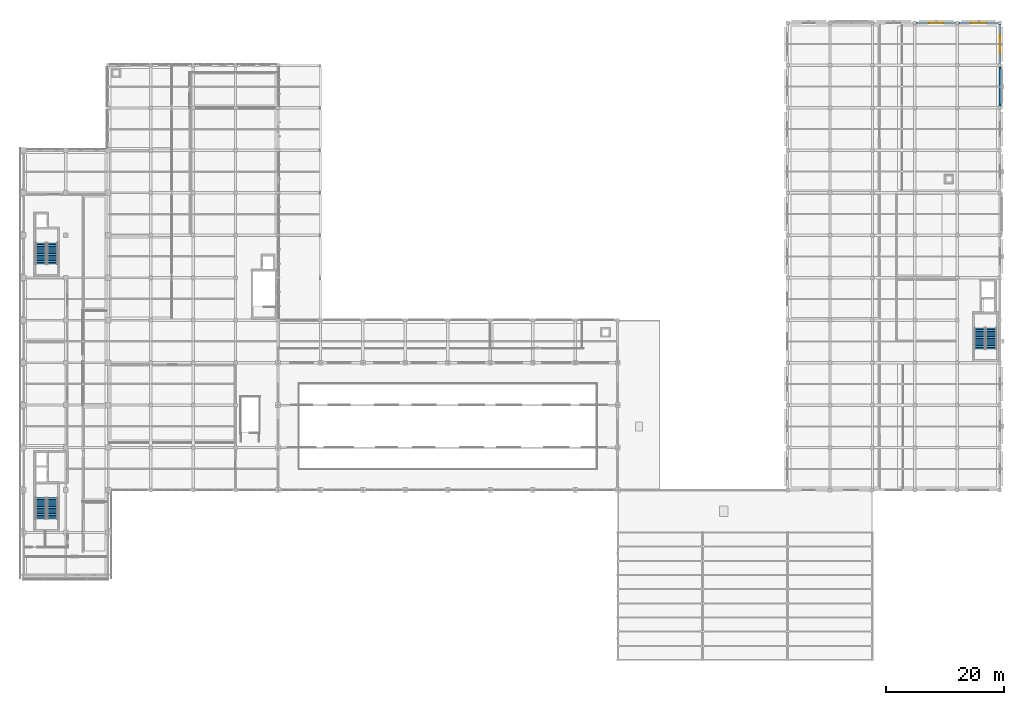
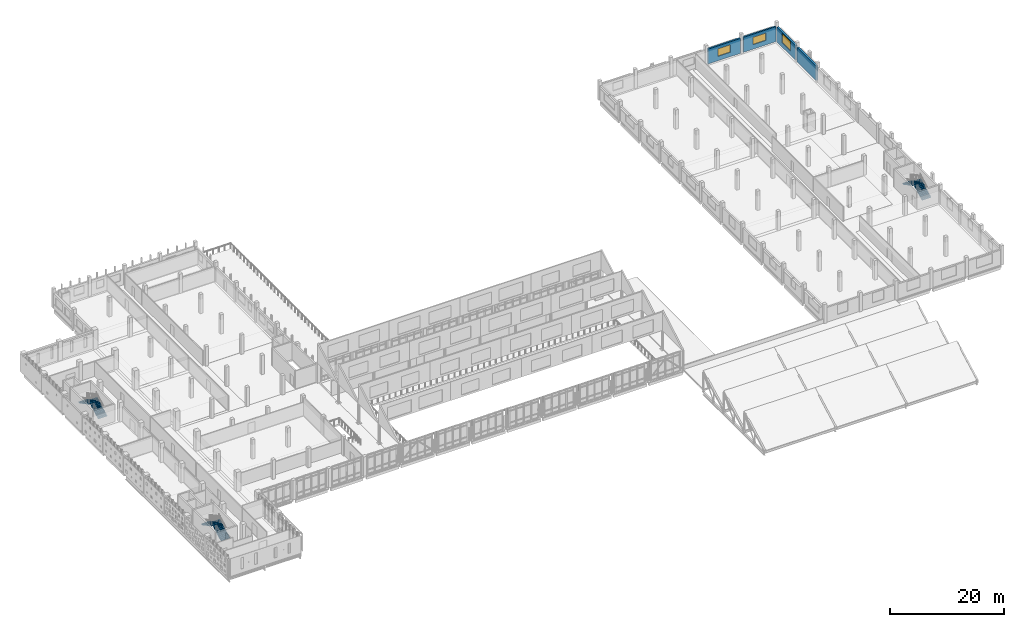
# One storey, part 49 of 62: 6 stair flights, 4 walls, 3 windows, 3 openings, 3 elements without a shape of their own.
"""IFC4 building model written with IfcOpenShell, lengths in metres."""

from ifc_helpers import new_model, si_unit, direction, frame, frame_2d, origin, place, context, subcontext, project, spatial, polyline, rectangle, outline, extrude, material, layer, layer_set, type_object, element, fill, aggregate, save


model = new_model("IFC4")

# Units and contexts
model_context = context("Model", 3, precision=1e-05, world=origin(), true_north=direction((0.0, 1.0)))
body_context = subcontext(model_context, "Body", "Model", "MODEL_VIEW")
ifc_project = project(units=[si_unit("LENGTHUNIT", "METRE"), si_unit("AREAUNIT", "SQUARE_METRE"), si_unit("VOLUMEUNIT", "CUBIC_METRE"), si_unit("PLANEANGLEUNIT", "RADIAN"), si_unit("MASSUNIT", "GRAM", prefix="KILO")], contexts=[model_context])

# Site, building, storey
site_placement = place(None, origin())
site = spatial("IfcSite", under=ifc_project, at=site_placement, CompositionType="ELEMENT")
building_placement = place(site_placement, origin())
building = spatial("IfcBuilding", under=site, at=building_placement, Name="Valkovuoma Quantum and Materials Research Institute", CompositionType="ELEMENT")
storey_placement = place(building_placement, frame((0.0, 0.0, 13.1201171875)))
storey = spatial("IfcBuildingStorey", under=building, at=storey_placement, Name="L03", CompositionType="ELEMENT", Elevation=13.1201171875)

# Wall, opening, window
ifc_material_1 = material(Name="Precast concrete C40/50", Category="concrete")
ifc_layer_1 = layer(ifc_material_1, 0.340087890625)
ifc_layer_set_1 = layer_set([ifc_layer_1], Name="Precast concrete C40/50")
wall_type_1 = type_object("IfcWallType", Name="Wall-W-EXT340", PredefinedType="SOLIDWALL", material=ifc_layer_set_1)
wall_1_placement = place(storey_placement, frame((151.489990234375, 115.199951171875, 0.0), z_axis=(0.0, 0.0, 1.0), x_axis=(1.0, 0.0, 0.0)))
wall_1 = element("IfcWall", 1, at=wall_1_placement, inside=storey, type_object=wall_type_1, Name="L03 exterior wall 0283", PredefinedType="SOLIDWALL", context=body_context, shape_type="SweptSolid", body=[
    extrude(rectangle(XDim=6.6201171875, YDim=0.340087890625, at=frame_2d((3.31005859375, 0.0))), origin(), (0.0, 0.0, 1.0), 3.2099609375),
])
opening_1_placement = place(wall_1_placement, frame((2.06005859375, 0.0, 0.949951171875)))
opening_1 = element("IfcOpeningElement", 2, at=opening_1_placement, cuts=wall_1, Name="Opening WN-EX15", PredefinedType="OPENING", context=body_context, shape_type="SweptSolid", body=[
    extrude(rectangle(XDim=2.5, YDim=1.60009765625, at=frame_2d((1.25, 0.800048828125))), frame((0.0, 0.18017578125, 0.0), z_axis=(0.0, -1.0, 0.0), x_axis=(1.0, 0.0, 0.0)), (0.0, 0.0, 1.0), 0.360107421875),
])
ifc_material_2 = material(Name="Triple low-E argon glazing in thermally broken aluminium frame", Category="aluminium")
window_type_1 = type_object("IfcWindowType", Name="Win-WN-EX15", PartitioningType="SINGLE_PANEL", PredefinedType="WINDOW", material=ifc_material_2)
window_1_placement = place(opening_1_placement, origin())
window_1 = element("IfcWindow", 3, at=window_1_placement, inside=storey, type_object=window_type_1, Name="L03 window 0294", OverallHeight=1.60009765625, OverallWidth=2.5, PartitioningType="SINGLE_PANEL", PredefinedType="WINDOW", context=body_context, shape_type="SweptSolid", body=[
    extrude(rectangle(XDim=2.5, YDim=1.60009765625, at=frame_2d((1.25, 0.800048828125))), frame((0.0, 0.030029296875, 0.0), z_axis=(0.0, -1.0, 0.0), x_axis=(1.0, 0.0, 0.0)), (0.0, 0.0, 1.0), 0.06005859375),
])
fill(opening_1, window_1)

wall_2_placement = place(storey_placement, frame((158.68994140625, 115.199951171875, 0.0), z_axis=(0.0, 0.0, 1.0), x_axis=(1.0, 0.0, 0.0)))
wall_2 = element("IfcWall", 4, at=wall_2_placement, inside=storey, type_object=wall_type_1, Name="L03 exterior wall 0284", PredefinedType="SOLIDWALL", context=body_context, shape_type="SweptSolid", body=[
    extrude(rectangle(XDim=6.6201171875, YDim=0.340087890625, at=frame_2d((3.31005859375, 0.0))), origin(), (0.0, 0.0, 1.0), 3.2099609375),
])
opening_2_placement = place(wall_2_placement, frame((1.985107421875, 0.0, 0.949951171875)))
opening_2 = element("IfcOpeningElement", 5, at=opening_2_placement, cuts=wall_2, Name="Opening WN-EX16", PredefinedType="OPENING", context=body_context, shape_type="SweptSolid", body=[
    extrude(rectangle(XDim=2.64990234375, YDim=1.60009765625, at=frame_2d((1.324951171875, 0.800048828125))), frame((0.0, 0.18017578125, 0.0), z_axis=(0.0, -1.0, 0.0), x_axis=(1.0, 0.0, 0.0)), (0.0, 0.0, 1.0), 0.360107421875),
])
ifc_material_3 = material(Name="Triple low-E argon glazing in thermally broken aluminium frame", Category="aluminium")
window_type_2 = type_object("IfcWindowType", Name="Win-WN-EX16", PartitioningType="SINGLE_PANEL", PredefinedType="WINDOW", material=ifc_material_3)
window_2_placement = place(opening_2_placement, origin())
window_2 = element("IfcWindow", 6, at=window_2_placement, inside=storey, type_object=window_type_2, Name="L03 window 0295", OverallHeight=1.60009765625, OverallWidth=2.64990234375, PartitioningType="SINGLE_PANEL", PredefinedType="WINDOW", context=body_context, shape_type="SweptSolid", body=[
    extrude(rectangle(XDim=2.64990234375, YDim=1.60009765625, at=frame_2d((1.324951171875, 0.800048828125))), frame((0.0, 0.030029296875, 0.0), z_axis=(0.0, -1.0, 0.0), x_axis=(1.0, 0.0, 0.0)), (0.0, 0.0, 1.0), 0.06005859375),
])
fill(opening_2, window_2)

# Wall
ifc_material_4 = material(Name="Precast concrete C40/50", Category="concrete")
ifc_layer_2 = layer(ifc_material_4, 0.360107421875)
ifc_layer_set_2 = layer_set([ifc_layer_2], Name="Precast concrete C40/50")
wall_type_2 = type_object("IfcWallType", Name="Wall-W-EXT360", PredefinedType="SOLIDWALL", material=ifc_layer_set_2)
wall_3_placement = place(storey_placement, frame((165.60009765625, 101.090087890625, 0.0), z_axis=(0.0, 0.0, 1.0), x_axis=(0.0, 1.0, 0.0)))
element("IfcWall", 7, at=wall_3_placement, inside=storey, type_object=wall_type_2, Name="L03 exterior wall 0278", PredefinedType="SOLIDWALL", context=body_context, shape_type="SweptSolid", body=[
    extrude(rectangle(XDim=6.619873046875, YDim=0.360107421875, at=frame_2d((3.31005859375, 0.0))), origin(), (0.0, 0.0, 1.0), 3.159912109375),
])

# Wall, opening, window
wall_4_placement = place(storey_placement, frame((165.60009765625, 108.2900390625, 0.0), z_axis=(0.0, 0.0, 1.0), x_axis=(0.0, 1.0, 0.0)))
wall_4 = element("IfcWall", 8, at=wall_4_placement, inside=storey, type_object=wall_type_2, Name="L03 exterior wall 0279", PredefinedType="SOLIDWALL", context=body_context, shape_type="SweptSolid", body=[
    extrude(rectangle(XDim=6.619873046875, YDim=0.360107421875, at=frame_2d((3.31005859375, 0.0))), origin(), (0.0, 0.0, 1.0), 3.159912109375),
])
opening_3_placement = place(wall_4_placement, frame((1.81005859375, 0.0, 0.89990234375)))
opening_3 = element("IfcOpeningElement", 9, at=opening_3_placement, cuts=wall_4, Name="Opening WN-WL05", PredefinedType="OPENING", context=body_context, shape_type="SweptSolid", body=[
    extrude(rectangle(XDim=3.0, YDim=2.10009765625, at=frame_2d((1.5, 1.050048828125))), frame((0.0, 0.18994140625, 0.0), z_axis=(0.0, -1.0, 0.0), x_axis=(1.0, 0.0, 0.0)), (0.0, 0.0, 1.0), 0.380126953125),
])
ifc_material_5 = material(Name="Triple low-E argon glazing in thermally broken aluminium frame", Category="aluminium")
window_type_3 = type_object("IfcWindowType", Name="Win-WN-WL05", PartitioningType="SINGLE_PANEL", PredefinedType="WINDOW", material=ifc_material_5)
window_3_placement = place(opening_3_placement, origin())
window_3 = element("IfcWindow", 10, at=window_3_placement, inside=storey, type_object=window_type_3, Name="L03 window 0291", OverallHeight=2.10009765625, OverallWidth=3.0, PartitioningType="SINGLE_PANEL", PredefinedType="WINDOW", context=body_context, shape_type="SweptSolid", body=[
    extrude(rectangle(XDim=3.0, YDim=2.10009765625, at=frame_2d((1.5, 1.050048828125))), frame((0.0, 0.030029296875, 0.0), z_axis=(0.0, -1.0, 0.0), x_axis=(1.0, 0.0, 0.0)), (0.0, 0.0, 1.0), 0.06005859375),
])
fill(opening_3, window_3)

# Stair, stair flights
ifc_material_6 = material(Name="Concrete C40/50", Category="concrete")
stair_type = type_object("IfcStairType", Name="Stair-ST-COR", PredefinedType="HALF_TURN_STAIR", material=ifc_material_6)
stair_1_placement = place(storey_placement, origin())
stair_1 = element("IfcStair", 11, at=stair_1_placement, inside=storey, type_object=stair_type, Name="L03 Exit Stair ST-1", PredefinedType="HALF_TURN_STAIR")
ifc_material_7 = material(Name="Concrete C40/50", Category="concrete")
stair_flight_type = type_object("IfcStairFlightType", Name="Flight-STF-145", PredefinedType="STRAIGHT", material=ifc_material_7)
stair_flight_1_placement = place(storey_placement, frame((4.949951171875, 31.10009765625, 0.0), z_axis=(0.0, 0.0, 1.0), x_axis=(0.0, 1.0, 0.0)))
stair_flight_1 = element("IfcStairFlight", 12, at=stair_flight_1_placement, type_object=stair_flight_type, Name="ST-1 flight 1", NumberOfRisers=13, NumberOfTreads=12, PredefinedType="STRAIGHT", RiserHeight=0.16, TreadLength=0.3, context=body_context, shape_type="SweptSolid", body=[
    extrude(outline(polyline([(0.0, 0.0), (0.0, 0.159912109375), (0.300048828125, 0.159912109375), (0.300048828125, 0.320068359375), (0.60009765625, 0.320068359375), (0.60009765625, 0.47998046875), (0.89990234375, 0.47998046875), (0.89990234375, 0.639892578125), (1.199951171875, 0.639892578125), (1.199951171875, 0.800048828125), (1.5, 0.800048828125), (1.5, 0.9599609375), (1.800048828125, 0.9599609375), (1.800048828125, 1.1201171875), (2.10009765625, 1.1201171875), (2.10009765625, 1.280029296875), (2.39990234375, 1.280029296875), (2.39990234375, 1.43994140625), (2.699951171875, 1.43994140625), (2.699951171875, 1.60009765625), (3.0, 1.60009765625), (3.0, 1.760009765625), (3.300048828125, 1.760009765625), (3.300048828125, 1.919921875), (3.60009765625, 1.919921875), (3.60009765625, 2.080078125), (3.60009765625, 1.75), (0.318603515625, 0.0), (0.0, 0.0)])), frame((0.0, 0.89990234375, 0.0), z_axis=(0.0, -1.0, 0.0), x_axis=(1.0, 0.0, 0.0)), (0.0, 0.0, 1.0), 1.800048828125),
])
stair_flight_2_placement = place(storey_placement, frame((3.0, 34.699951171875, 2.079833984375), z_axis=(0.0, 0.0, 1.0), x_axis=(0.0, -1.0, 0.0)))
stair_flight_2 = element("IfcStairFlight", 13, at=stair_flight_2_placement, type_object=stair_flight_type, Name="ST-1 flight 2", NumberOfRisers=13, NumberOfTreads=12, PredefinedType="STRAIGHT", RiserHeight=0.16, TreadLength=0.3, context=body_context, shape_type="SweptSolid", body=[
    extrude(outline(polyline([(0.0, 0.0), (0.0, 0.159912109375), (0.300048828125, 0.159912109375), (0.300048828125, 0.320068359375), (0.60009765625, 0.320068359375), (0.60009765625, 0.47998046875), (0.89990234375, 0.47998046875), (0.89990234375, 0.639892578125), (1.199951171875, 0.639892578125), (1.199951171875, 0.800048828125), (1.5, 0.800048828125), (1.5, 0.9599609375), (1.800048828125, 0.9599609375), (1.800048828125, 1.1201171875), (2.10009765625, 1.1201171875), (2.10009765625, 1.280029296875), (2.39990234375, 1.280029296875), (2.39990234375, 1.43994140625), (2.699951171875, 1.43994140625), (2.699951171875, 1.60009765625), (3.0, 1.60009765625), (3.0, 1.760009765625), (3.300048828125, 1.760009765625), (3.300048828125, 1.919921875), (3.60009765625, 1.919921875), (3.60009765625, 2.080078125), (3.60009765625, 1.75), (0.318603515625, 0.0), (0.0, 0.0)])), frame((0.0, 0.89990234375, 0.0), z_axis=(0.0, -1.0, 0.0), x_axis=(1.0, 0.0, 0.0)), (0.0, 0.0, 1.0), 1.800048828125),
])
aggregate(stair_1, [stair_flight_1, stair_flight_2])

stair_2_placement = place(storey_placement, origin())
stair_2 = element("IfcStair", 14, at=stair_2_placement, inside=storey, type_object=stair_type, Name="L03 Exit Stair ST-2", PredefinedType="HALF_TURN_STAIR")
stair_flight_3_placement = place(storey_placement, frame((4.949951171875, 74.300048828125, 0.0), z_axis=(0.0, 0.0, 1.0), x_axis=(0.0, 1.0, 0.0)))
stair_flight_3 = element("IfcStairFlight", 15, at=stair_flight_3_placement, type_object=stair_flight_type, Name="ST-2 flight 1", NumberOfRisers=13, NumberOfTreads=12, PredefinedType="STRAIGHT", RiserHeight=0.16, TreadLength=0.3, context=body_context, shape_type="SweptSolid", body=[
    extrude(outline(polyline([(0.0, 0.0), (0.0, 0.159912109375), (0.300048828125, 0.159912109375), (0.300048828125, 0.320068359375), (0.60009765625, 0.320068359375), (0.60009765625, 0.47998046875), (0.89990234375, 0.47998046875), (0.89990234375, 0.639892578125), (1.199951171875, 0.639892578125), (1.199951171875, 0.800048828125), (1.5, 0.800048828125), (1.5, 0.9599609375), (1.800048828125, 0.9599609375), (1.800048828125, 1.1201171875), (2.10009765625, 1.1201171875), (2.10009765625, 1.280029296875), (2.39990234375, 1.280029296875), (2.39990234375, 1.43994140625), (2.699951171875, 1.43994140625), (2.699951171875, 1.60009765625), (3.0, 1.60009765625), (3.0, 1.760009765625), (3.300048828125, 1.760009765625), (3.300048828125, 1.919921875), (3.60009765625, 1.919921875), (3.60009765625, 2.080078125), (3.60009765625, 1.75), (0.318603515625, 0.0), (0.0, 0.0)])), frame((0.0, 0.89990234375, 0.0), z_axis=(0.0, -1.0, 0.0), x_axis=(1.0, 0.0, 0.0)), (0.0, 0.0, 1.0), 1.800048828125),
])
stair_flight_4_placement = place(storey_placement, frame((3.0, 77.89990234375, 2.079833984375), z_axis=(0.0, 0.0, 1.0), x_axis=(0.0, -1.0, 0.0)))
stair_flight_4 = element("IfcStairFlight", 16, at=stair_flight_4_placement, type_object=stair_flight_type, Name="ST-2 flight 2", NumberOfRisers=13, NumberOfTreads=12, PredefinedType="STRAIGHT", RiserHeight=0.16, TreadLength=0.3, context=body_context, shape_type="SweptSolid", body=[
    extrude(outline(polyline([(0.0, 0.0), (0.0, 0.159912109375), (0.300048828125, 0.159912109375), (0.300048828125, 0.320068359375), (0.60009765625, 0.320068359375), (0.60009765625, 0.47998046875), (0.89990234375, 0.47998046875), (0.89990234375, 0.639892578125), (1.199951171875, 0.639892578125), (1.199951171875, 0.800048828125), (1.5, 0.800048828125), (1.5, 0.9599609375), (1.800048828125, 0.9599609375), (1.800048828125, 1.1201171875), (2.10009765625, 1.1201171875), (2.10009765625, 1.280029296875), (2.39990234375, 1.280029296875), (2.39990234375, 1.43994140625), (2.699951171875, 1.43994140625), (2.699951171875, 1.60009765625), (3.0, 1.60009765625), (3.0, 1.760009765625), (3.300048828125, 1.760009765625), (3.300048828125, 1.919921875), (3.60009765625, 1.919921875), (3.60009765625, 2.080078125), (3.60009765625, 1.75), (0.318603515625, 0.0), (0.0, 0.0)])), frame((0.0, 0.89990234375, 0.0), z_axis=(0.0, -1.0, 0.0), x_axis=(1.0, 0.0, 0.0)), (0.0, 0.0, 1.0), 1.800048828125),
])
aggregate(stair_2, [stair_flight_3, stair_flight_4])

stair_3_placement = place(storey_placement, origin())
stair_3 = element("IfcStair", 17, at=stair_3_placement, inside=storey, type_object=stair_type, Name="L03 Exit Stair ST-3", PredefinedType="HALF_TURN_STAIR")
stair_flight_5_placement = place(storey_placement, frame((164.14990234375, 59.89990234375, 0.0), z_axis=(0.0, 0.0, 1.0), x_axis=(0.0, 1.0, 0.0)))
stair_flight_5 = element("IfcStairFlight", 18, at=stair_flight_5_placement, type_object=stair_flight_type, Name="ST-3 flight 1", NumberOfRisers=13, NumberOfTreads=12, PredefinedType="STRAIGHT", RiserHeight=0.16, TreadLength=0.3, context=body_context, shape_type="SweptSolid", body=[
    extrude(outline(polyline([(0.0, 0.0), (0.0, 0.159912109375), (0.300048828125, 0.159912109375), (0.300048828125, 0.320068359375), (0.60009765625, 0.320068359375), (0.60009765625, 0.47998046875), (0.89990234375, 0.47998046875), (0.89990234375, 0.639892578125), (1.199951171875, 0.639892578125), (1.199951171875, 0.800048828125), (1.5, 0.800048828125), (1.5, 0.9599609375), (1.800048828125, 0.9599609375), (1.800048828125, 1.1201171875), (2.10009765625, 1.1201171875), (2.10009765625, 1.280029296875), (2.39990234375, 1.280029296875), (2.39990234375, 1.43994140625), (2.699951171875, 1.43994140625), (2.699951171875, 1.60009765625), (3.0, 1.60009765625), (3.0, 1.760009765625), (3.300048828125, 1.760009765625), (3.300048828125, 1.919921875), (3.60009765625, 1.919921875), (3.60009765625, 2.080078125), (3.60009765625, 1.75), (0.318603515625, 0.0), (0.0, 0.0)])), frame((0.0, 0.89990234375, 0.0), z_axis=(0.0, -1.0, 0.0), x_axis=(1.0, 0.0, 0.0)), (0.0, 0.0, 1.0), 1.800048828125),
])
stair_flight_6_placement = place(storey_placement, frame((162.199951171875, 63.5, 2.079833984375), z_axis=(0.0, 0.0, 1.0), x_axis=(0.0, -1.0, 0.0)))
stair_flight_6 = element("IfcStairFlight", 19, at=stair_flight_6_placement, type_object=stair_flight_type, Name="ST-3 flight 2", NumberOfRisers=13, NumberOfTreads=12, PredefinedType="STRAIGHT", RiserHeight=0.16, TreadLength=0.3, context=body_context, shape_type="SweptSolid", body=[
    extrude(outline(polyline([(0.0, 0.0), (0.0, 0.159912109375), (0.300048828125, 0.159912109375), (0.300048828125, 0.320068359375), (0.60009765625, 0.320068359375), (0.60009765625, 0.47998046875), (0.89990234375, 0.47998046875), (0.89990234375, 0.639892578125), (1.199951171875, 0.639892578125), (1.199951171875, 0.800048828125), (1.5, 0.800048828125), (1.5, 0.9599609375), (1.800048828125, 0.9599609375), (1.800048828125, 1.1201171875), (2.10009765625, 1.1201171875), (2.10009765625, 1.280029296875), (2.39990234375, 1.280029296875), (2.39990234375, 1.43994140625), (2.699951171875, 1.43994140625), (2.699951171875, 1.60009765625), (3.0, 1.60009765625), (3.0, 1.760009765625), (3.300048828125, 1.760009765625), (3.300048828125, 1.919921875), (3.60009765625, 1.919921875), (3.60009765625, 2.080078125), (3.60009765625, 1.75), (0.318603515625, 0.0), (0.0, 0.0)])), frame((0.0, 0.89990234375, 0.0), z_axis=(0.0, -1.0, 0.0), x_axis=(1.0, 0.0, 0.0)), (0.0, 0.0, 1.0), 1.800048828125),
])
aggregate(stair_3, [stair_flight_5, stair_flight_6])

save(model, "model.ifc")
